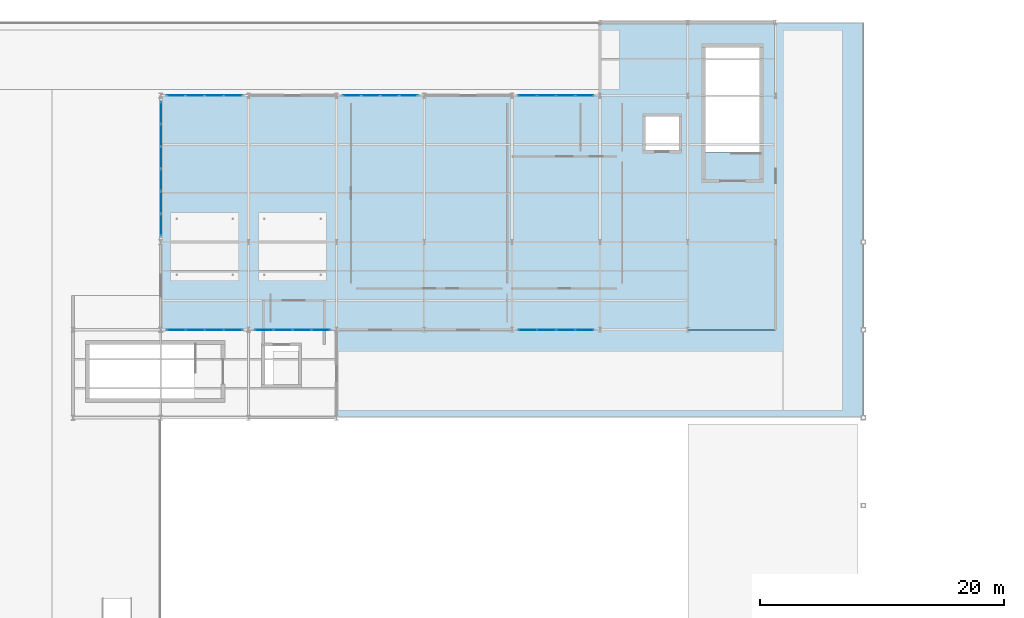
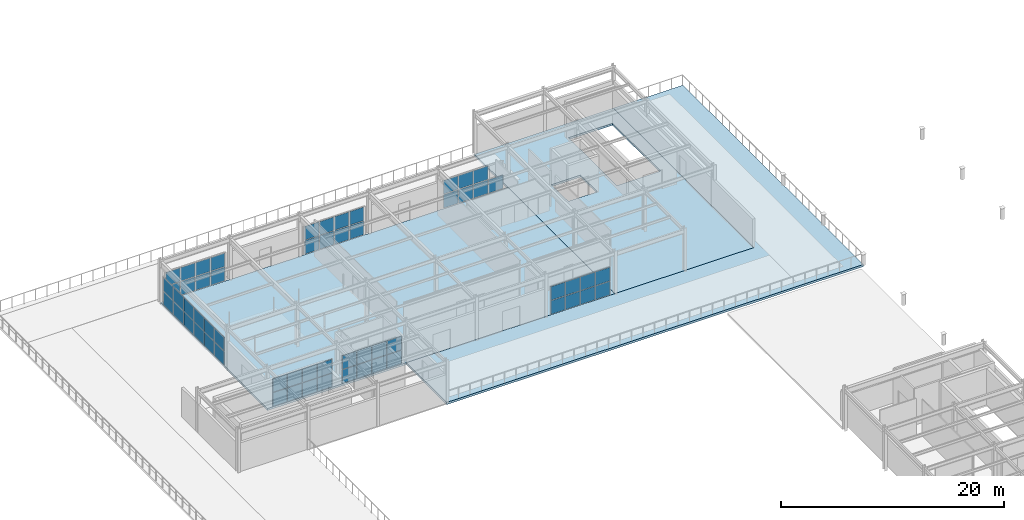
# One storey, part 29 of 41: 59 plates, 3 slabs, 7 elements without a shape of their own.
"""IFC4 building model written with IfcOpenShell, lengths in metres."""

from ifc_helpers import new_model, si_unit, direction, frame, origin, origin_2d, place, context, subcontext, project, spatial, polyline, rectangle, outline, extrude, material, layer, layer_set, type_object, element, aggregate, save


model = new_model("IFC4")

# Units and contexts
model_context = context("Model", 3, precision=1e-05, world=origin(), true_north=direction((0.0, 1.0)))
body_context = subcontext(model_context, "Body", "Model", "MODEL_VIEW")
ifc_project = project(units=[si_unit("LENGTHUNIT", "METRE"), si_unit("AREAUNIT", "SQUARE_METRE"), si_unit("VOLUMEUNIT", "CUBIC_METRE"), si_unit("PLANEANGLEUNIT", "RADIAN"), si_unit("MASSUNIT", "GRAM", prefix="KILO")], contexts=[model_context])

# Site, building, storey
site_placement = place(None, origin())
site = spatial("IfcSite", under=ifc_project, at=site_placement, CompositionType="ELEMENT")
building_placement = place(site_placement, origin())
building = spatial("IfcBuilding", under=site, at=building_placement, Name="Solvadek Multi-Sports Hall", CompositionType="ELEMENT")
storey_placement = place(building_placement, frame((0.0, 0.0, 14.39990234375)))
storey = spatial("IfcBuildingStorey", under=building, at=storey_placement, Name="L03", CompositionType="ELEMENT", Elevation=14.39990234375)

# Curtain wall, plates
ifc_material_1 = material(Name="Anodised aluminium", Category="aluminium")
ifc_layer_1 = layer(ifc_material_1, 0.159912109375, Name="Anodised aluminium")
ifc_layer_set_1 = layer_set([ifc_layer_1], Name="Anodised aluminium")
curtain_wall_type_1 = type_object("IfcCurtainWallType", Name="ENV-CW-624X315", PredefinedType="USERDEFINED", material=ifc_layer_set_1)
curtain_wall_1_placement = place(storey_placement, origin())
curtain_wall_1 = element("IfcCurtainWall", 1, at=curtain_wall_1_placement, inside=storey, type_object=curtain_wall_type_1, Name="L03 Perimeter Bay Curtain Wall #208", ObjectType="CURTAIN WALL", PredefinedType="USERDEFINED")
ifc_material_2 = material(Name="Tempered laminated low-E glass", Category="glass")
ifc_layer_2 = layer(ifc_material_2, 0.02392578125, Name="Tempered laminated low-E glass")
ifc_layer_set_2 = layer_set([ifc_layer_2], Name="Tempered laminated low-E glass")
plate_type_1 = type_object("IfcPlateType", Name="ENV-CWP-01", PredefinedType="CURTAIN_PANEL", material=ifc_layer_set_2)
plate_1_placement = place(storey_placement, frame((44.47509765625, 104.39990234375, 0.065185546875), z_axis=(0.0, 0.0, 1.0), x_axis=(1.0, 0.0, 0.0)))
plate_1 = element("IfcPlate", 2, at=plate_1_placement, type_object=plate_type_1, Name="CW-44 panel 1.1", PredefinedType="CURTAIN_PANEL", context=body_context, shape_type="SweptSolid", body=[
    extrude(rectangle(XDim=1.469970703125, YDim=0.02392578125, at=origin_2d()), origin(), (0.0, 0.0, 1.0), 1.4775390625),
])
plate_2_placement = place(storey_placement, frame((44.47509765625, 104.39990234375, 1.607666015625), z_axis=(0.0, 0.0, 1.0), x_axis=(1.0, 0.0, 0.0)))
plate_2 = element("IfcPlate", 3, at=plate_2_placement, type_object=plate_type_1, Name="CW-44 panel 1.2", PredefinedType="CURTAIN_PANEL", context=body_context, shape_type="SweptSolid", body=[
    extrude(rectangle(XDim=1.469970703125, YDim=0.02392578125, at=origin_2d()), origin(), (0.0, 0.0, 1.0), 1.4775390625),
])
plate_3_placement = place(storey_placement, frame((46.02001953125, 104.39990234375, 0.065185546875), z_axis=(0.0, 0.0, 1.0), x_axis=(1.0, 0.0, 0.0)))
plate_3 = element("IfcPlate", 4, at=plate_3_placement, type_object=plate_type_1, Name="CW-44 panel 2.1", PredefinedType="CURTAIN_PANEL", context=body_context, shape_type="SweptSolid", body=[
    extrude(rectangle(XDim=1.5, YDim=0.02392578125, at=origin_2d()), origin(), (0.0, 0.0, 1.0), 1.4775390625),
])
plate_4_placement = place(storey_placement, frame((46.02001953125, 104.39990234375, 1.607666015625), z_axis=(0.0, 0.0, 1.0), x_axis=(1.0, 0.0, 0.0)))
plate_4 = element("IfcPlate", 5, at=plate_4_placement, type_object=plate_type_1, Name="CW-44 panel 2.2", PredefinedType="CURTAIN_PANEL", context=body_context, shape_type="SweptSolid", body=[
    extrude(rectangle(XDim=1.5, YDim=0.02392578125, at=origin_2d()), origin(), (0.0, 0.0, 1.0), 1.4775390625),
])
plate_5_placement = place(storey_placement, frame((47.580078125, 104.39990234375, 0.065185546875), z_axis=(0.0, 0.0, 1.0), x_axis=(1.0, 0.0, 0.0)))
plate_5 = element("IfcPlate", 6, at=plate_5_placement, type_object=plate_type_1, Name="CW-44 panel 3.1", PredefinedType="CURTAIN_PANEL", context=body_context, shape_type="SweptSolid", body=[
    extrude(rectangle(XDim=1.5, YDim=0.02392578125, at=origin_2d()), origin(), (0.0, 0.0, 1.0), 1.4775390625),
])
plate_6_placement = place(storey_placement, frame((47.580078125, 104.39990234375, 1.607666015625), z_axis=(0.0, 0.0, 1.0), x_axis=(1.0, 0.0, 0.0)))
plate_6 = element("IfcPlate", 7, at=plate_6_placement, type_object=plate_type_1, Name="CW-44 panel 3.2", PredefinedType="CURTAIN_PANEL", context=body_context, shape_type="SweptSolid", body=[
    extrude(rectangle(XDim=1.5, YDim=0.02392578125, at=origin_2d()), origin(), (0.0, 0.0, 1.0), 1.4775390625),
])
plate_7_placement = place(storey_placement, frame((49.125, 104.39990234375, 0.065185546875), z_axis=(0.0, 0.0, 1.0), x_axis=(1.0, 0.0, 0.0)))
plate_7 = element("IfcPlate", 8, at=plate_7_placement, type_object=plate_type_1, Name="CW-44 panel 4.1", PredefinedType="CURTAIN_PANEL", context=body_context, shape_type="SweptSolid", body=[
    extrude(rectangle(XDim=1.469970703125, YDim=0.02392578125, at=origin_2d()), origin(), (0.0, 0.0, 1.0), 1.4775390625),
])
aggregate(curtain_wall_1, [plate_1, plate_2, plate_3, plate_4, plate_5, plate_6, plate_7])

curtain_wall_2_placement = place(storey_placement, origin())
curtain_wall_2 = element("IfcCurtainWall", 9, at=curtain_wall_2_placement, inside=storey, type_object=curtain_wall_type_1, Name="L03 Perimeter Bay Curtain Wall #203", ObjectType="CURTAIN WALL", PredefinedType="USERDEFINED")
ifc_layer_3 = layer(ifc_material_2, 0.028076171875, Name="Tempered laminated low-E glass")
ifc_layer_set_3 = layer_set([ifc_layer_3], Name="Tempered laminated low-E glass")
plate_type_2 = type_object("IfcPlateType", Name="ENV-CWP-02", PredefinedType="CURTAIN_PANEL", material=ifc_layer_set_3)
plate_8_placement = place(storey_placement, frame((15.675048828125, 85.199951171875, 0.06005859375), z_axis=(0.0, 0.0, 1.0), x_axis=(1.0, 0.0, 0.0)))
plate_8 = element("IfcPlate", 10, at=plate_8_placement, type_object=plate_type_2, Name="CW-44 panel 1.1", PredefinedType="CURTAIN_PANEL", context=body_context, shape_type="SweptSolid", body=[
    extrude(rectangle(XDim=1.469970703125, YDim=0.028076171875, at=origin_2d()), origin(), (0.0, 0.0, 1.0), 1.485107421875),
])
plate_9_placement = place(storey_placement, frame((15.675048828125, 85.199951171875, 1.60498046875), z_axis=(0.0, 0.0, 1.0), x_axis=(1.0, 0.0, 0.0)))
plate_9 = element("IfcPlate", 11, at=plate_9_placement, type_object=plate_type_2, Name="CW-44 panel 1.2", PredefinedType="CURTAIN_PANEL", context=body_context, shape_type="SweptSolid", body=[
    extrude(rectangle(XDim=1.469970703125, YDim=0.028076171875, at=origin_2d()), origin(), (0.0, 0.0, 1.0), 1.485107421875),
])
plate_10_placement = place(storey_placement, frame((17.219970703125, 85.199951171875, 0.06005859375), z_axis=(0.0, 0.0, 1.0), x_axis=(1.0, 0.0, 0.0)))
plate_10 = element("IfcPlate", 12, at=plate_10_placement, type_object=plate_type_2, Name="CW-44 panel 2.1", PredefinedType="CURTAIN_PANEL", context=body_context, shape_type="SweptSolid", body=[
    extrude(rectangle(XDim=1.5, YDim=0.028076171875, at=origin_2d()), origin(), (0.0, 0.0, 1.0), 1.485107421875),
])
plate_11_placement = place(storey_placement, frame((17.219970703125, 85.199951171875, 1.60498046875), z_axis=(0.0, 0.0, 1.0), x_axis=(1.0, 0.0, 0.0)))
plate_11 = element("IfcPlate", 13, at=plate_11_placement, type_object=plate_type_2, Name="CW-44 panel 2.2", PredefinedType="CURTAIN_PANEL", context=body_context, shape_type="SweptSolid", body=[
    extrude(rectangle(XDim=1.5, YDim=0.028076171875, at=origin_2d()), origin(), (0.0, 0.0, 1.0), 1.485107421875),
])
plate_12_placement = place(storey_placement, frame((18.780029296875, 85.199951171875, 0.06005859375), z_axis=(0.0, 0.0, 1.0), x_axis=(1.0, 0.0, 0.0)))
plate_12 = element("IfcPlate", 14, at=plate_12_placement, type_object=plate_type_2, Name="CW-44 panel 3.1", PredefinedType="CURTAIN_PANEL", context=body_context, shape_type="SweptSolid", body=[
    extrude(rectangle(XDim=1.5, YDim=0.028076171875, at=origin_2d()), origin(), (0.0, 0.0, 1.0), 1.485107421875),
])
plate_13_placement = place(storey_placement, frame((18.780029296875, 85.199951171875, 1.60498046875), z_axis=(0.0, 0.0, 1.0), x_axis=(1.0, 0.0, 0.0)))
plate_13 = element("IfcPlate", 15, at=plate_13_placement, type_object=plate_type_2, Name="CW-44 panel 3.2", PredefinedType="CURTAIN_PANEL", context=body_context, shape_type="SweptSolid", body=[
    extrude(rectangle(XDim=1.5, YDim=0.028076171875, at=origin_2d()), origin(), (0.0, 0.0, 1.0), 1.485107421875),
])
plate_14_placement = place(storey_placement, frame((20.324951171875, 85.199951171875, 0.06005859375), z_axis=(0.0, 0.0, 1.0), x_axis=(1.0, 0.0, 0.0)))
plate_14 = element("IfcPlate", 16, at=plate_14_placement, type_object=plate_type_2, Name="CW-44 panel 4.1", PredefinedType="CURTAIN_PANEL", context=body_context, shape_type="SweptSolid", body=[
    extrude(rectangle(XDim=1.469970703125, YDim=0.028076171875, at=origin_2d()), origin(), (0.0, 0.0, 1.0), 1.485107421875),
])
plate_15_placement = place(storey_placement, frame((20.324951171875, 85.199951171875, 1.60498046875), z_axis=(0.0, 0.0, 1.0), x_axis=(1.0, 0.0, 0.0)))
plate_15 = element("IfcPlate", 17, at=plate_15_placement, type_object=plate_type_2, Name="CW-44 panel 4.2", PredefinedType="CURTAIN_PANEL", context=body_context, shape_type="SweptSolid", body=[
    extrude(rectangle(XDim=1.469970703125, YDim=0.028076171875, at=origin_2d()), origin(), (0.0, 0.0, 1.0), 1.485107421875),
])
aggregate(curtain_wall_2, [plate_8, plate_9, plate_10, plate_11, plate_12, plate_13, plate_14, plate_15])

curtain_wall_3_placement = place(storey_placement, origin())
curtain_wall_3 = element("IfcCurtainWall", 18, at=curtain_wall_3_placement, inside=storey, type_object=curtain_wall_type_1, Name="L03 Perimeter Bay Curtain Wall #204", ObjectType="CURTAIN WALL", PredefinedType="USERDEFINED")
ifc_layer_4 = layer(ifc_material_2, 0.031982421875, Name="Tempered laminated low-E glass")
ifc_layer_set_4 = layer_set([ifc_layer_4], Name="Tempered laminated low-E glass")
plate_type_3 = type_object("IfcPlateType", Name="ENV-CWP-03", PredefinedType="CURTAIN_PANEL", material=ifc_layer_set_4)
plate_16_placement = place(storey_placement, frame((15.67626953125, 104.39990234375, 0.065185546875), z_axis=(0.0, 0.0, 1.0), x_axis=(1.0, 0.0, 0.0)))
plate_16 = element("IfcPlate", 19, at=plate_16_placement, type_object=plate_type_3, Name="CW-44 panel 1.1", PredefinedType="CURTAIN_PANEL", context=body_context, shape_type="SweptSolid", body=[
    extrude(rectangle(XDim=1.46240234375, YDim=0.031982421875, at=origin_2d()), origin(), (0.0, 0.0, 1.0), 1.4775390625),
])
plate_17_placement = place(storey_placement, frame((15.67626953125, 104.39990234375, 1.607666015625), z_axis=(0.0, 0.0, 1.0), x_axis=(1.0, 0.0, 0.0)))
plate_17 = element("IfcPlate", 20, at=plate_17_placement, type_object=plate_type_3, Name="CW-44 panel 1.2", PredefinedType="CURTAIN_PANEL", context=body_context, shape_type="SweptSolid", body=[
    extrude(rectangle(XDim=1.46240234375, YDim=0.031982421875, at=origin_2d()), origin(), (0.0, 0.0, 1.0), 1.4775390625),
])
plate_18_placement = place(storey_placement, frame((17.219970703125, 104.39990234375, 0.065185546875), z_axis=(0.0, 0.0, 1.0), x_axis=(1.0, 0.0, 0.0)))
plate_18 = element("IfcPlate", 21, at=plate_18_placement, type_object=plate_type_3, Name="CW-44 panel 2.1", PredefinedType="CURTAIN_PANEL", context=body_context, shape_type="SweptSolid", body=[
    extrude(rectangle(XDim=1.4951171875, YDim=0.031982421875, at=origin_2d()), origin(), (0.0, 0.0, 1.0), 1.4775390625),
])
plate_19_placement = place(storey_placement, frame((17.219970703125, 104.39990234375, 1.607666015625), z_axis=(0.0, 0.0, 1.0), x_axis=(1.0, 0.0, 0.0)))
plate_19 = element("IfcPlate", 22, at=plate_19_placement, type_object=plate_type_3, Name="CW-44 panel 2.2", PredefinedType="CURTAIN_PANEL", context=body_context, shape_type="SweptSolid", body=[
    extrude(rectangle(XDim=1.4951171875, YDim=0.031982421875, at=origin_2d()), origin(), (0.0, 0.0, 1.0), 1.4775390625),
])
plate_20_placement = place(storey_placement, frame((18.780029296875, 104.39990234375, 0.065185546875), z_axis=(0.0, 0.0, 1.0), x_axis=(1.0, 0.0, 0.0)))
plate_20 = element("IfcPlate", 23, at=plate_20_placement, type_object=plate_type_3, Name="CW-44 panel 3.1", PredefinedType="CURTAIN_PANEL", context=body_context, shape_type="SweptSolid", body=[
    extrude(rectangle(XDim=1.4951171875, YDim=0.031982421875, at=origin_2d()), origin(), (0.0, 0.0, 1.0), 1.4775390625),
])
plate_21_placement = place(storey_placement, frame((18.780029296875, 104.39990234375, 1.607666015625), z_axis=(0.0, 0.0, 1.0), x_axis=(1.0, 0.0, 0.0)))
plate_21 = element("IfcPlate", 24, at=plate_21_placement, type_object=plate_type_3, Name="CW-44 panel 3.2", PredefinedType="CURTAIN_PANEL", context=body_context, shape_type="SweptSolid", body=[
    extrude(rectangle(XDim=1.4951171875, YDim=0.031982421875, at=origin_2d()), origin(), (0.0, 0.0, 1.0), 1.4775390625),
])
plate_22_placement = place(storey_placement, frame((20.32373046875, 104.39990234375, 0.065185546875), z_axis=(0.0, 0.0, 1.0), x_axis=(1.0, 0.0, 0.0)))
plate_22 = element("IfcPlate", 25, at=plate_22_placement, type_object=plate_type_3, Name="CW-44 panel 4.1", PredefinedType="CURTAIN_PANEL", context=body_context, shape_type="SweptSolid", body=[
    extrude(rectangle(XDim=1.46240234375, YDim=0.031982421875, at=origin_2d()), origin(), (0.0, 0.0, 1.0), 1.4775390625),
])
plate_23_placement = place(storey_placement, frame((20.32373046875, 104.39990234375, 1.607666015625), z_axis=(0.0, 0.0, 1.0), x_axis=(1.0, 0.0, 0.0)))
plate_23 = element("IfcPlate", 26, at=plate_23_placement, type_object=plate_type_3, Name="CW-44 panel 4.2", PredefinedType="CURTAIN_PANEL", context=body_context, shape_type="SweptSolid", body=[
    extrude(rectangle(XDim=1.46240234375, YDim=0.031982421875, at=origin_2d()), origin(), (0.0, 0.0, 1.0), 1.4775390625),
])
aggregate(curtain_wall_3, [plate_16, plate_17, plate_18, plate_19, plate_20, plate_21, plate_22, plate_23])

curtain_wall_4_placement = place(storey_placement, origin())
curtain_wall_4 = element("IfcCurtainWall", 27, at=curtain_wall_4_placement, inside=storey, type_object=curtain_wall_type_1, Name="L03 Perimeter Bay Curtain Wall #205", ObjectType="CURTAIN WALL", PredefinedType="USERDEFINED")
plate_24_placement = place(storey_placement, frame((22.876220703125, 85.199951171875, 0.065185546875), z_axis=(0.0, 0.0, 1.0), x_axis=(1.0, 0.0, 0.0)))
plate_24 = element("IfcPlate", 28, at=plate_24_placement, type_object=plate_type_3, Name="CW-44 panel 1.1", PredefinedType="CURTAIN_PANEL", context=body_context, shape_type="SweptSolid", body=[
    extrude(rectangle(XDim=1.46240234375, YDim=0.031982421875, at=origin_2d()), origin(), (0.0, 0.0, 1.0), 1.4775390625),
])
plate_25_placement = place(storey_placement, frame((22.876220703125, 85.199951171875, 1.607666015625), z_axis=(0.0, 0.0, 1.0), x_axis=(1.0, 0.0, 0.0)))
plate_25 = element("IfcPlate", 29, at=plate_25_placement, type_object=plate_type_3, Name="CW-44 panel 1.2", PredefinedType="CURTAIN_PANEL", context=body_context, shape_type="SweptSolid", body=[
    extrude(rectangle(XDim=1.46240234375, YDim=0.031982421875, at=origin_2d()), origin(), (0.0, 0.0, 1.0), 1.4775390625),
])
plate_26_placement = place(storey_placement, frame((24.419921875, 85.199951171875, 0.065185546875), z_axis=(0.0, 0.0, 1.0), x_axis=(1.0, 0.0, 0.0)))
plate_26 = element("IfcPlate", 30, at=plate_26_placement, type_object=plate_type_3, Name="CW-44 panel 2.1", PredefinedType="CURTAIN_PANEL", context=body_context, shape_type="SweptSolid", body=[
    extrude(rectangle(XDim=1.4951171875, YDim=0.031982421875, at=origin_2d()), origin(), (0.0, 0.0, 1.0), 1.4775390625),
])
plate_27_placement = place(storey_placement, frame((24.419921875, 85.199951171875, 1.607666015625), z_axis=(0.0, 0.0, 1.0), x_axis=(1.0, 0.0, 0.0)))
plate_27 = element("IfcPlate", 31, at=plate_27_placement, type_object=plate_type_3, Name="CW-44 panel 2.2", PredefinedType="CURTAIN_PANEL", context=body_context, shape_type="SweptSolid", body=[
    extrude(rectangle(XDim=1.4951171875, YDim=0.031982421875, at=origin_2d()), origin(), (0.0, 0.0, 1.0), 1.4775390625),
])
plate_28_placement = place(storey_placement, frame((25.97998046875, 85.199951171875, 0.065185546875), z_axis=(0.0, 0.0, 1.0), x_axis=(1.0, 0.0, 0.0)))
plate_28 = element("IfcPlate", 32, at=plate_28_placement, type_object=plate_type_3, Name="CW-44 panel 3.1", PredefinedType="CURTAIN_PANEL", context=body_context, shape_type="SweptSolid", body=[
    extrude(rectangle(XDim=1.4951171875, YDim=0.031982421875, at=origin_2d()), origin(), (0.0, 0.0, 1.0), 1.4775390625),
])
plate_29_placement = place(storey_placement, frame((25.97998046875, 85.199951171875, 1.607666015625), z_axis=(0.0, 0.0, 1.0), x_axis=(1.0, 0.0, 0.0)))
plate_29 = element("IfcPlate", 33, at=plate_29_placement, type_object=plate_type_3, Name="CW-44 panel 3.2", PredefinedType="CURTAIN_PANEL", context=body_context, shape_type="SweptSolid", body=[
    extrude(rectangle(XDim=1.4951171875, YDim=0.031982421875, at=origin_2d()), origin(), (0.0, 0.0, 1.0), 1.4775390625),
])
plate_30_placement = place(storey_placement, frame((27.523681640625, 85.199951171875, 0.065185546875), z_axis=(0.0, 0.0, 1.0), x_axis=(1.0, 0.0, 0.0)))
plate_30 = element("IfcPlate", 34, at=plate_30_placement, type_object=plate_type_3, Name="CW-44 panel 4.1", PredefinedType="CURTAIN_PANEL", context=body_context, shape_type="SweptSolid", body=[
    extrude(rectangle(XDim=1.46240234375, YDim=0.031982421875, at=origin_2d()), origin(), (0.0, 0.0, 1.0), 1.4775390625),
])
plate_31_placement = place(storey_placement, frame((27.523681640625, 85.199951171875, 1.607666015625), z_axis=(0.0, 0.0, 1.0), x_axis=(1.0, 0.0, 0.0)))
plate_31 = element("IfcPlate", 35, at=plate_31_placement, type_object=plate_type_3, Name="CW-44 panel 4.2", PredefinedType="CURTAIN_PANEL", context=body_context, shape_type="SweptSolid", body=[
    extrude(rectangle(XDim=1.46240234375, YDim=0.031982421875, at=origin_2d()), origin(), (0.0, 0.0, 1.0), 1.4775390625),
])
aggregate(curtain_wall_4, [plate_24, plate_25, plate_26, plate_27, plate_28, plate_29, plate_30, plate_31])

ifc_layer_5 = layer(ifc_material_1, 0.159912109375, Name="Anodised aluminium")
ifc_layer_set_5 = layer_set([ifc_layer_5], Name="Anodised aluminium")
curtain_wall_type_2 = type_object("IfcCurtainWallType", Name="ENV-CW-1104X315", PredefinedType="USERDEFINED", material=ifc_layer_set_5)
curtain_wall_5_placement = place(storey_placement, origin())
curtain_wall_5 = element("IfcCurtainWall", 36, at=curtain_wall_5_placement, inside=storey, type_object=curtain_wall_type_2, Name="L03 Perimeter Bay Curtain Wall #209", ObjectType="CURTAIN WALL", PredefinedType="USERDEFINED")
ifc_layer_6 = layer(ifc_material_2, 0.035888671875, Name="Tempered laminated low-E glass")
ifc_layer_set_6 = layer_set([ifc_layer_6], Name="Tempered laminated low-E glass")
plate_type_4 = type_object("IfcPlateType", Name="ENV-CWP-04", PredefinedType="CURTAIN_PANEL", material=ifc_layer_set_6)
plate_32_placement = place(storey_placement, frame((14.39990234375, 93.816162109375, 0.065185546875), z_axis=(0.0, 0.0, 1.0), x_axis=(0.0, 1.0, 0.0)))
plate_32 = element("IfcPlate", 37, at=plate_32_placement, type_object=plate_type_4, Name="CW-58 panel 1.1", PredefinedType="CURTAIN_PANEL", context=body_context, shape_type="SweptSolid", body=[
    extrude(rectangle(XDim=1.742431640625, YDim=0.035888671875, at=origin_2d()), origin(), (0.0, 0.0, 1.0), 1.4775390625),
])
plate_33_placement = place(storey_placement, frame((14.39990234375, 93.816162109375, 1.607666015625), z_axis=(0.0, 0.0, 1.0), x_axis=(0.0, 1.0, 0.0)))
plate_33 = element("IfcPlate", 38, at=plate_33_placement, type_object=plate_type_4, Name="CW-58 panel 1.2", PredefinedType="CURTAIN_PANEL", context=body_context, shape_type="SweptSolid", body=[
    extrude(rectangle(XDim=1.742431640625, YDim=0.035888671875, at=origin_2d()), origin(), (0.0, 0.0, 1.0), 1.4775390625),
])
plate_34_placement = place(storey_placement, frame((14.39990234375, 95.639892578125, 0.065185546875), z_axis=(0.0, 0.0, 1.0), x_axis=(0.0, 1.0, 0.0)))
plate_34 = element("IfcPlate", 39, at=plate_34_placement, type_object=plate_type_4, Name="CW-58 panel 2.1", PredefinedType="CURTAIN_PANEL", context=body_context, shape_type="SweptSolid", body=[
    extrude(rectangle(XDim=1.77490234375, YDim=0.035888671875, at=origin_2d()), origin(), (0.0, 0.0, 1.0), 1.4775390625),
])
plate_35_placement = place(storey_placement, frame((14.39990234375, 95.639892578125, 1.607666015625), z_axis=(0.0, 0.0, 1.0), x_axis=(0.0, 1.0, 0.0)))
plate_35 = element("IfcPlate", 40, at=plate_35_placement, type_object=plate_type_4, Name="CW-58 panel 2.2", PredefinedType="CURTAIN_PANEL", context=body_context, shape_type="SweptSolid", body=[
    extrude(rectangle(XDim=1.77490234375, YDim=0.035888671875, at=origin_2d()), origin(), (0.0, 0.0, 1.0), 1.4775390625),
])
plate_36_placement = place(storey_placement, frame((14.39990234375, 97.47998046875, 0.065185546875), z_axis=(0.0, 0.0, 1.0), x_axis=(0.0, 1.0, 0.0)))
plate_36 = element("IfcPlate", 41, at=plate_36_placement, type_object=plate_type_4, Name="CW-58 panel 3.1", PredefinedType="CURTAIN_PANEL", context=body_context, shape_type="SweptSolid", body=[
    extrude(rectangle(XDim=1.77490234375, YDim=0.035888671875, at=origin_2d()), origin(), (0.0, 0.0, 1.0), 1.4775390625),
])
plate_37_placement = place(storey_placement, frame((14.39990234375, 97.47998046875, 1.607666015625), z_axis=(0.0, 0.0, 1.0), x_axis=(0.0, 1.0, 0.0)))
plate_37 = element("IfcPlate", 42, at=plate_37_placement, type_object=plate_type_4, Name="CW-58 panel 3.2", PredefinedType="CURTAIN_PANEL", context=body_context, shape_type="SweptSolid", body=[
    extrude(rectangle(XDim=1.77490234375, YDim=0.035888671875, at=origin_2d()), origin(), (0.0, 0.0, 1.0), 1.4775390625),
])
plate_38_placement = place(storey_placement, frame((14.39990234375, 99.320068359375, 0.065185546875), z_axis=(0.0, 0.0, 1.0), x_axis=(0.0, 1.0, 0.0)))
plate_38 = element("IfcPlate", 43, at=plate_38_placement, type_object=plate_type_4, Name="CW-58 panel 4.1", PredefinedType="CURTAIN_PANEL", context=body_context, shape_type="SweptSolid", body=[
    extrude(rectangle(XDim=1.77490234375, YDim=0.035888671875, at=origin_2d()), origin(), (0.0, 0.0, 1.0), 1.4775390625),
])
plate_39_placement = place(storey_placement, frame((14.39990234375, 99.320068359375, 1.607666015625), z_axis=(0.0, 0.0, 1.0), x_axis=(0.0, 1.0, 0.0)))
plate_39 = element("IfcPlate", 44, at=plate_39_placement, type_object=plate_type_4, Name="CW-58 panel 4.2", PredefinedType="CURTAIN_PANEL", context=body_context, shape_type="SweptSolid", body=[
    extrude(rectangle(XDim=1.77490234375, YDim=0.035888671875, at=origin_2d()), origin(), (0.0, 0.0, 1.0), 1.4775390625),
])
plate_40_placement = place(storey_placement, frame((14.39990234375, 101.159912109375, 0.065185546875), z_axis=(0.0, 0.0, 1.0), x_axis=(0.0, 1.0, 0.0)))
plate_40 = element("IfcPlate", 45, at=plate_40_placement, type_object=plate_type_4, Name="CW-58 panel 5.1", PredefinedType="CURTAIN_PANEL", context=body_context, shape_type="SweptSolid", body=[
    extrude(rectangle(XDim=1.77490234375, YDim=0.035888671875, at=origin_2d()), origin(), (0.0, 0.0, 1.0), 1.4775390625),
])
plate_41_placement = place(storey_placement, frame((14.39990234375, 101.159912109375, 1.607666015625), z_axis=(0.0, 0.0, 1.0), x_axis=(0.0, 1.0, 0.0)))
plate_41 = element("IfcPlate", 46, at=plate_41_placement, type_object=plate_type_4, Name="CW-58 panel 5.2", PredefinedType="CURTAIN_PANEL", context=body_context, shape_type="SweptSolid", body=[
    extrude(rectangle(XDim=1.77490234375, YDim=0.035888671875, at=origin_2d()), origin(), (0.0, 0.0, 1.0), 1.4775390625),
])
plate_42_placement = place(storey_placement, frame((14.39990234375, 102.983642578125, 0.065185546875), z_axis=(0.0, 0.0, 1.0), x_axis=(0.0, 1.0, 0.0)))
plate_42 = element("IfcPlate", 47, at=plate_42_placement, type_object=plate_type_4, Name="CW-58 panel 6.1", PredefinedType="CURTAIN_PANEL", context=body_context, shape_type="SweptSolid", body=[
    extrude(rectangle(XDim=1.742431640625, YDim=0.035888671875, at=origin_2d()), origin(), (0.0, 0.0, 1.0), 1.4775390625),
])
plate_43_placement = place(storey_placement, frame((14.39990234375, 102.983642578125, 1.607666015625), z_axis=(0.0, 0.0, 1.0), x_axis=(0.0, 1.0, 0.0)))
plate_43 = element("IfcPlate", 48, at=plate_43_placement, type_object=plate_type_4, Name="CW-58 panel 6.2", PredefinedType="CURTAIN_PANEL", context=body_context, shape_type="SweptSolid", body=[
    extrude(rectangle(XDim=1.742431640625, YDim=0.035888671875, at=origin_2d()), origin(), (0.0, 0.0, 1.0), 1.4775390625),
])
aggregate(curtain_wall_5, [plate_32, plate_33, plate_34, plate_35, plate_36, plate_37, plate_38, plate_39, plate_40, plate_41, plate_42, plate_43])

curtain_wall_6_placement = place(storey_placement, origin())
curtain_wall_6 = element("IfcCurtainWall", 49, at=curtain_wall_6_placement, inside=storey, type_object=curtain_wall_type_1, Name="L03 Perimeter Bay Curtain Wall #206", ObjectType="CURTAIN WALL", PredefinedType="USERDEFINED")
ifc_layer_7 = layer(ifc_material_2, 0.0419921875, Name="Tempered laminated low-E glass")
ifc_layer_set_7 = layer_set([ifc_layer_7], Name="Tempered laminated low-E glass")
plate_type_5 = type_object("IfcPlateType", Name="ENV-CWP-05", PredefinedType="CURTAIN_PANEL", material=ifc_layer_set_7)
plate_44_placement = place(storey_placement, frame((30.077392578125, 104.39990234375, 0.06005859375), z_axis=(0.0, 0.0, 1.0), x_axis=(1.0, 0.0, 0.0)))
plate_44 = element("IfcPlate", 50, at=plate_44_placement, type_object=plate_type_5, Name="CW-44 panel 1.1", PredefinedType="CURTAIN_PANEL", context=body_context, shape_type="SweptSolid", body=[
    extrude(rectangle(XDim=1.455078125, YDim=0.0419921875, at=origin_2d()), origin(), (0.0, 0.0, 1.0), 1.485107421875),
])
plate_45_placement = place(storey_placement, frame((30.077392578125, 104.39990234375, 1.60498046875), z_axis=(0.0, 0.0, 1.0), x_axis=(1.0, 0.0, 0.0)))
plate_45 = element("IfcPlate", 51, at=plate_45_placement, type_object=plate_type_5, Name="CW-44 panel 1.2", PredefinedType="CURTAIN_PANEL", context=body_context, shape_type="SweptSolid", body=[
    extrude(rectangle(XDim=1.455078125, YDim=0.0419921875, at=origin_2d()), origin(), (0.0, 0.0, 1.0), 1.485107421875),
])
plate_46_placement = place(storey_placement, frame((31.6201171875, 104.39990234375, 0.06005859375), z_axis=(0.0, 0.0, 1.0), x_axis=(1.0, 0.0, 0.0)))
plate_46 = element("IfcPlate", 52, at=plate_46_placement, type_object=plate_type_5, Name="CW-44 panel 2.1", PredefinedType="CURTAIN_PANEL", context=body_context, shape_type="SweptSolid", body=[
    extrude(rectangle(XDim=1.489990234375, YDim=0.0419921875, at=origin_2d()), origin(), (0.0, 0.0, 1.0), 1.485107421875),
])
plate_47_placement = place(storey_placement, frame((31.6201171875, 104.39990234375, 1.60498046875), z_axis=(0.0, 0.0, 1.0), x_axis=(1.0, 0.0, 0.0)))
plate_47 = element("IfcPlate", 53, at=plate_47_placement, type_object=plate_type_5, Name="CW-44 panel 2.2", PredefinedType="CURTAIN_PANEL", context=body_context, shape_type="SweptSolid", body=[
    extrude(rectangle(XDim=1.489990234375, YDim=0.0419921875, at=origin_2d()), origin(), (0.0, 0.0, 1.0), 1.485107421875),
])
plate_48_placement = place(storey_placement, frame((33.179931640625, 104.39990234375, 0.06005859375), z_axis=(0.0, 0.0, 1.0), x_axis=(1.0, 0.0, 0.0)))
plate_48 = element("IfcPlate", 54, at=plate_48_placement, type_object=plate_type_5, Name="CW-44 panel 3.1", PredefinedType="CURTAIN_PANEL", context=body_context, shape_type="SweptSolid", body=[
    extrude(rectangle(XDim=1.489990234375, YDim=0.0419921875, at=origin_2d()), origin(), (0.0, 0.0, 1.0), 1.485107421875),
])
plate_49_placement = place(storey_placement, frame((33.179931640625, 104.39990234375, 1.60498046875), z_axis=(0.0, 0.0, 1.0), x_axis=(1.0, 0.0, 0.0)))
plate_49 = element("IfcPlate", 55, at=plate_49_placement, type_object=plate_type_5, Name="CW-44 panel 3.2", PredefinedType="CURTAIN_PANEL", context=body_context, shape_type="SweptSolid", body=[
    extrude(rectangle(XDim=1.489990234375, YDim=0.0419921875, at=origin_2d()), origin(), (0.0, 0.0, 1.0), 1.485107421875),
])
plate_50_placement = place(storey_placement, frame((34.722412109375, 104.39990234375, 0.06005859375), z_axis=(0.0, 0.0, 1.0), x_axis=(1.0, 0.0, 0.0)))
plate_50 = element("IfcPlate", 56, at=plate_50_placement, type_object=plate_type_5, Name="CW-44 panel 4.1", PredefinedType="CURTAIN_PANEL", context=body_context, shape_type="SweptSolid", body=[
    extrude(rectangle(XDim=1.455078125, YDim=0.0419921875, at=origin_2d()), origin(), (0.0, 0.0, 1.0), 1.485107421875),
])
plate_51_placement = place(storey_placement, frame((34.722412109375, 104.39990234375, 1.60498046875), z_axis=(0.0, 0.0, 1.0), x_axis=(1.0, 0.0, 0.0)))
plate_51 = element("IfcPlate", 57, at=plate_51_placement, type_object=plate_type_5, Name="CW-44 panel 4.2", PredefinedType="CURTAIN_PANEL", context=body_context, shape_type="SweptSolid", body=[
    extrude(rectangle(XDim=1.455078125, YDim=0.0419921875, at=origin_2d()), origin(), (0.0, 0.0, 1.0), 1.485107421875),
])
aggregate(curtain_wall_6, [plate_44, plate_45, plate_46, plate_47, plate_48, plate_49, plate_50, plate_51])

curtain_wall_7_placement = place(storey_placement, origin())
curtain_wall_7 = element("IfcCurtainWall", 58, at=curtain_wall_7_placement, inside=storey, type_object=curtain_wall_type_1, Name="L03 Perimeter Bay Curtain Wall #207", ObjectType="CURTAIN WALL", PredefinedType="USERDEFINED")
ifc_layer_8 = layer(ifc_material_2, 0.048095703125, Name="Tempered laminated low-E glass")
ifc_layer_set_8 = layer_set([ifc_layer_8], Name="Tempered laminated low-E glass")
plate_type_6 = type_object("IfcPlateType", Name="ENV-CWP-06", PredefinedType="CURTAIN_PANEL", material=ifc_layer_set_8)
plate_52_placement = place(storey_placement, frame((44.47509765625, 85.199951171875, 0.06005859375), z_axis=(0.0, 0.0, 1.0), x_axis=(1.0, 0.0, 0.0)))
plate_52 = element("IfcPlate", 59, at=plate_52_placement, type_object=plate_type_6, Name="CW-44 panel 1.1", PredefinedType="CURTAIN_PANEL", context=body_context, shape_type="SweptSolid", body=[
    extrude(rectangle(XDim=1.469970703125, YDim=0.048095703125, at=origin_2d()), origin(), (0.0, 0.0, 1.0), 1.485107421875),
])
plate_53_placement = place(storey_placement, frame((44.47509765625, 85.199951171875, 1.60498046875), z_axis=(0.0, 0.0, 1.0), x_axis=(1.0, 0.0, 0.0)))
plate_53 = element("IfcPlate", 60, at=plate_53_placement, type_object=plate_type_6, Name="CW-44 panel 1.2", PredefinedType="CURTAIN_PANEL", context=body_context, shape_type="SweptSolid", body=[
    extrude(rectangle(XDim=1.469970703125, YDim=0.048095703125, at=origin_2d()), origin(), (0.0, 0.0, 1.0), 1.485107421875),
])
plate_54_placement = place(storey_placement, frame((46.02001953125, 85.199951171875, 0.06005859375), z_axis=(0.0, 0.0, 1.0), x_axis=(1.0, 0.0, 0.0)))
plate_54 = element("IfcPlate", 61, at=plate_54_placement, type_object=plate_type_6, Name="CW-44 panel 2.1", PredefinedType="CURTAIN_PANEL", context=body_context, shape_type="SweptSolid", body=[
    extrude(rectangle(XDim=1.5, YDim=0.048095703125, at=origin_2d()), origin(), (0.0, 0.0, 1.0), 1.485107421875),
])
plate_55_placement = place(storey_placement, frame((46.02001953125, 85.199951171875, 1.60498046875), z_axis=(0.0, 0.0, 1.0), x_axis=(1.0, 0.0, 0.0)))
plate_55 = element("IfcPlate", 62, at=plate_55_placement, type_object=plate_type_6, Name="CW-44 panel 2.2", PredefinedType="CURTAIN_PANEL", context=body_context, shape_type="SweptSolid", body=[
    extrude(rectangle(XDim=1.5, YDim=0.048095703125, at=origin_2d()), origin(), (0.0, 0.0, 1.0), 1.485107421875),
])
plate_56_placement = place(storey_placement, frame((47.580078125, 85.199951171875, 0.06005859375), z_axis=(0.0, 0.0, 1.0), x_axis=(1.0, 0.0, 0.0)))
plate_56 = element("IfcPlate", 63, at=plate_56_placement, type_object=plate_type_6, Name="CW-44 panel 3.1", PredefinedType="CURTAIN_PANEL", context=body_context, shape_type="SweptSolid", body=[
    extrude(rectangle(XDim=1.5, YDim=0.048095703125, at=origin_2d()), origin(), (0.0, 0.0, 1.0), 1.485107421875),
])
plate_57_placement = place(storey_placement, frame((47.580078125, 85.199951171875, 1.60498046875), z_axis=(0.0, 0.0, 1.0), x_axis=(1.0, 0.0, 0.0)))
plate_57 = element("IfcPlate", 64, at=plate_57_placement, type_object=plate_type_6, Name="CW-44 panel 3.2", PredefinedType="CURTAIN_PANEL", context=body_context, shape_type="SweptSolid", body=[
    extrude(rectangle(XDim=1.5, YDim=0.048095703125, at=origin_2d()), origin(), (0.0, 0.0, 1.0), 1.485107421875),
])
plate_58_placement = place(storey_placement, frame((49.125, 85.199951171875, 0.06005859375), z_axis=(0.0, 0.0, 1.0), x_axis=(1.0, 0.0, 0.0)))
plate_58 = element("IfcPlate", 65, at=plate_58_placement, type_object=plate_type_6, Name="CW-44 panel 4.1", PredefinedType="CURTAIN_PANEL", context=body_context, shape_type="SweptSolid", body=[
    extrude(rectangle(XDim=1.469970703125, YDim=0.048095703125, at=origin_2d()), origin(), (0.0, 0.0, 1.0), 1.485107421875),
])
plate_59_placement = place(storey_placement, frame((49.125, 85.199951171875, 1.60498046875), z_axis=(0.0, 0.0, 1.0), x_axis=(1.0, 0.0, 0.0)))
plate_59 = element("IfcPlate", 66, at=plate_59_placement, type_object=plate_type_6, Name="CW-44 panel 4.2", PredefinedType="CURTAIN_PANEL", context=body_context, shape_type="SweptSolid", body=[
    extrude(rectangle(XDim=1.469970703125, YDim=0.048095703125, at=origin_2d()), origin(), (0.0, 0.0, 1.0), 1.485107421875),
])
aggregate(curtain_wall_7, [plate_52, plate_53, plate_54, plate_55, plate_56, plate_57, plate_58, plate_59])

# Slabs
ifc_material_3 = material(Name="Concrete M35", Category="concrete")
ifc_layer_9 = layer(ifc_material_3, 0.219970703125, Name="Concrete M35")
ifc_layer_set_9 = layer_set([ifc_layer_9], Name="Concrete M35")
slab_type_1 = type_object("IfcSlabType", Name="STR-SLB-FLR220", PredefinedType="FLOOR", material=ifc_layer_set_9)
slab_1_placement = place(storey_placement, frame((0.0, 0.0, -0.219970703125)))
element("IfcSlab", 67, at=slab_1_placement, inside=storey, type_object=slab_type_1, Name="L03 Third Floor Pavilion Slab #93", PredefinedType="FLOOR", context=body_context, shape_type="SweptSolid", body=[
    extrude(outline(polyline([(14.39990234375, 104.39990234375), (50.39990234375, 104.39990234375), (50.39990234375, 85.199951171875), (14.39990234375, 85.199951171875), (14.39990234375, 104.39990234375)])), origin(), (0.0, 0.0, 1.0), 0.219970703125),
])
slab_2_placement = place(storey_placement, frame((0.0, 0.0, -0.219970703125)))
element("IfcSlab", 68, at=slab_2_placement, inside=storey, type_object=slab_type_1, Name="L03 Third Floor North Core Slab #94", PredefinedType="FLOOR", context=body_context, shape_type="SweptSolid", body=[
    extrude(outline(polyline([(50.39990234375, 104.39990234375), (50.39990234375, 110.39990234375), (64.800048828125, 110.39990234375), (64.800048828125, 85.199951171875), (50.39990234375, 85.199951171875), (50.39990234375, 104.39990234375)]), holes=[polyline([(63.550048828125, 108.39990234375), (59.0, 108.39990234375), (59.0, 99.7451171875), (63.550048828125, 99.7451171875), (63.550048828125, 108.39990234375)]), polyline([(57.0, 99.800048828125), (57.0, 102.800048828125), (54.0, 102.800048828125), (54.0, 99.800048828125), (57.0, 99.800048828125)])]), origin(), (0.0, 0.0, 1.0), 0.219970703125),
])
ifc_material_4 = material(Name="Concrete M40", Category="concrete")
ifc_layer_10 = layer(ifc_material_4, 0.239990234375, Name="Concrete M40")
ifc_layer_set_10 = layer_set([ifc_layer_10], Name="Concrete M40")
slab_type_2 = type_object("IfcSlabType", Name="STR-SLB-TRK240", PredefinedType="FLOOR", material=ifc_layer_set_10)
slab_3_placement = place(storey_placement, frame((0.0, 0.0, -0.239990234375)))
element("IfcSlab", 69, at=slab_3_placement, inside=storey, type_object=slab_type_2, Name="L03 Rooftop Running Track Deck 2 #99", PredefinedType="FLOOR", context=body_context, shape_type="SweptSolid", body=[
    extrude(outline(polyline([(72.0, 78.0), (64.800048828125, 78.0), (57.60009765625, 78.0), (50.39990234375, 78.0), (43.199951171875, 78.0), (36.0, 78.0), (28.800048828125, 78.0), (28.800048828125, 85.199951171875), (36.0, 85.199951171875), (43.199951171875, 85.199951171875), (50.39990234375, 85.199951171875), (57.60009765625, 85.199951171875), (64.800048828125, 85.199951171875), (64.800048828125, 92.39990234375), (64.800048828125, 104.39990234375), (64.800048828125, 110.39990234375), (72.0, 110.39990234375), (72.0, 104.39990234375), (72.0, 92.39990234375), (72.0, 85.199951171875), (72.0, 78.0)])), origin(), (0.0, 0.0, 1.0), 0.239990234375),
])

save(model, "model.ifc")
